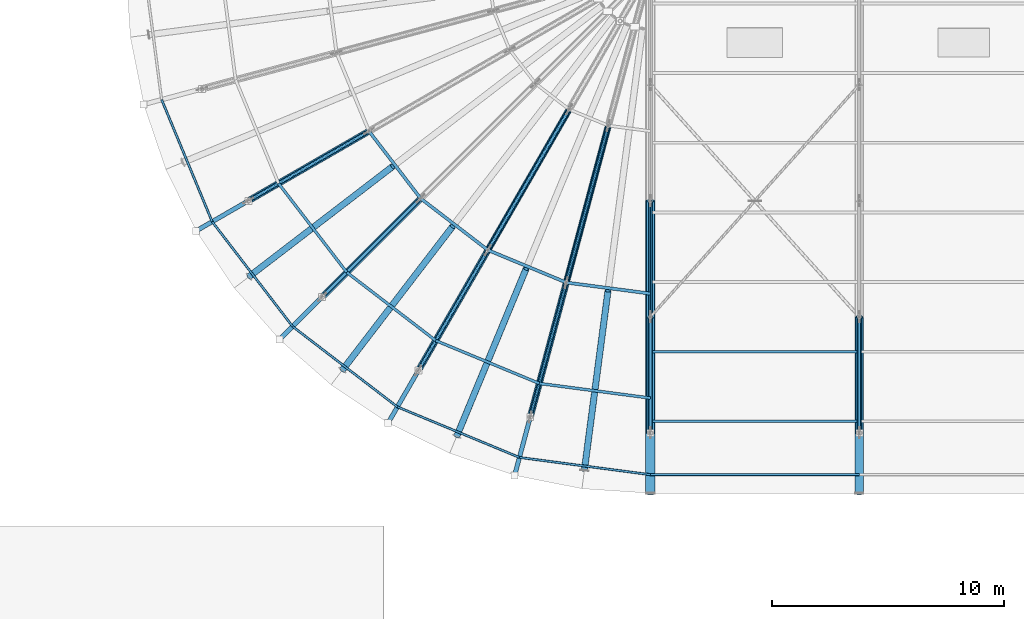
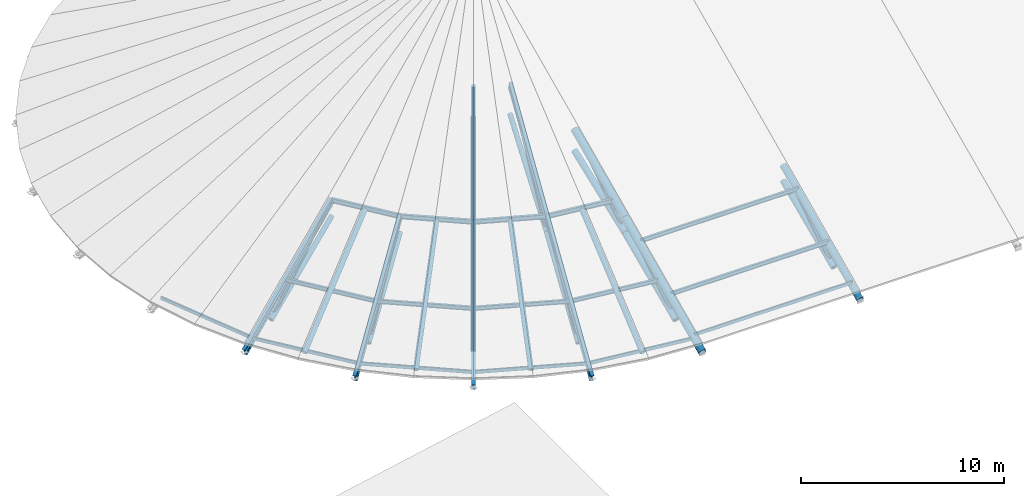
# One storey, part 1 of 107: 47 members.
"""IFC4 building model written with IfcOpenShell, lengths in metres."""

from ifc_helpers import new_model, si_unit, derived_unit, direction, frame, origin, origin_2d, place, context, subcontext, project, spatial, hollow_rectangle, hollow_circle, i_section, extrude, material, material_profile, profile_set, type_object, element, save


model = new_model("IFC4")

# Units and contexts
model_context = context("Model", 3, precision=1e-05, world=origin(), true_north=direction((0.0, 1.0)))
body_context = subcontext(model_context, "Body", "Model", "MODEL_VIEW")
ifc_project = project(units=[si_unit("LENGTHUNIT", "METRE"), si_unit("AREAUNIT", "SQUARE_METRE"), si_unit("VOLUMEUNIT", "CUBIC_METRE"), si_unit("PLANEANGLEUNIT", "RADIAN"), si_unit("MASSUNIT", "GRAM", prefix="KILO"), si_unit("THERMODYNAMICTEMPERATUREUNIT", "KELVIN"), si_unit("TIMEUNIT", "SECOND"), derived_unit("THERMALTRANSMITTANCEUNIT", [(si_unit("MASSUNIT", "GRAM", prefix="KILO"), 1), (si_unit("THERMODYNAMICTEMPERATUREUNIT", "KELVIN"), -1), (si_unit("TIMEUNIT", "SECOND"), -3)])], contexts=[model_context])

# Site, building, storey
site_placement = place(None, origin())
site = spatial("IfcSite", under=ifc_project, at=site_placement, CompositionType="ELEMENT")
building_placement = place(site_placement, origin())
building = spatial("IfcBuilding", under=site, at=building_placement, Name="Cambertide Market Hall", CompositionType="ELEMENT")
storey_placement = place(building_placement, frame((0.0, 0.0, 18.300048828125)))
storey = spatial("IfcBuildingStorey", under=building, at=storey_placement, Name="RF", CompositionType="ELEMENT", Elevation=18.300048828125)

# Members
ifc_material_1 = material(Name="Steel S355", Category="steel")
ifc_material_profile_1 = material_profile(ifc_material_1, hollow_circle(Radius=0.136474609375, WallThickness=0.010009765625, at=origin_2d()), Name="CHS 273x10")
ifc_profile_set_1 = profile_set([ifc_material_profile_1], Name="Steel S355")
member_type_1 = type_object("IfcMemberType", Name="Arched Truss Chord CHS 273x10", PredefinedType="CHORD", material=ifc_profile_set_1)
for number, where, z_axis, x_axis, name in (
    (1, (29.875732421875, 65.0, -7.756103515625), (-0.7934706706, -0.458098458952, -0.400687030991), (0.499990139034, -0.866031096941, 0.0), "Half-Cone Radial Arch Chord W-16-3"),
    (2, (32.1005859375, 62.1005859375, -7.756103515625), (-0.647860639623, -0.647860639623, -0.400690882419), (0.707106781187, -0.707106781187, 0.0), "Half-Cone Radial Arch Chord W-18-3"),
):
    element("IfcMember", number, at=place(storey_placement, frame(where, z_axis=z_axis, x_axis=x_axis)), inside=storey, type_object=member_type_1, Name=name, PredefinedType="CHORD", context=body_context, shape_type="SweptSolid", body=[
        extrude(hollow_circle(Radius=0.136474609375, WallThickness=0.010009765625, at=origin_2d()), origin(), (0.0, 0.0, 1.0), 6.548828125),
    ])
member_1_placement = place(storey_placement, frame((38.5, 65.937744140625, -5.381591796875), z_axis=(-0.473508125204, -0.820117658259, -0.321243026348), x_axis=(0.866019471182, -0.500010275428, 0.0)))
element("IfcMember", 3, at=member_1_placement, inside=storey, type_object=member_type_1, Name="Half-Cone Radial Arch Chord W-20-2", PredefinedType="CHORD", context=body_context, shape_type="SweptSolid", body=[
    extrude(hollow_circle(Radius=0.136474609375, WallThickness=0.010009765625, at=origin_2d()), origin(), (0.0, 0.0, 1.0), 7.3916015625),
])
member_2_placement = place(storey_placement, frame((35.0, 59.875732421875, -7.756103515625), z_axis=(-0.458098458952, -0.7934706706, -0.400687030991), x_axis=(0.866031096941, -0.499990139034, 0.0)))
element("IfcMember", 4, at=member_2_placement, inside=storey, type_object=member_type_1, Name="Half-Cone Radial Arch Chord W-20-3", PredefinedType="CHORD", context=body_context, shape_type="SweptSolid", body=[
    extrude(hollow_circle(Radius=0.136474609375, WallThickness=0.010009765625, at=origin_2d()), origin(), (0.0, 0.0, 1.0), 6.548828125),
])
member_3_placement = place(storey_placement, frame((40.188232421875, 65.238525390625, -5.381591796875), z_axis=(-0.245105868419, -0.914729420004, -0.321236986422), x_axis=(0.965924543531, -0.258823832372, 0.0)))
element("IfcMember", 5, at=member_3_placement, inside=storey, type_object=member_type_1, Name="Half-Cone Radial Arch Chord W-22-2", PredefinedType="CHORD", context=body_context, shape_type="SweptSolid", body=[
    extrude(hollow_circle(Radius=0.136474609375, WallThickness=0.010009765625, at=origin_2d()), origin(), (0.0, 0.0, 1.0), 7.391845703125),
])
member_4_placement = place(storey_placement, frame((38.37646484375, 58.47705078125, -7.756103515625), z_axis=(-0.23710402823, -0.885001969521, -0.400690895506), x_axis=(0.965934430412, -0.258786931944, 0.0)))
element("IfcMember", 6, at=member_4_placement, inside=storey, type_object=member_type_1, Name="Half-Cone Radial Arch Chord W-22-3", PredefinedType="CHORD", context=body_context, shape_type="SweptSolid", body=[
    extrude(hollow_circle(Radius=0.136474609375, WallThickness=0.010009765625, at=origin_2d()), origin(), (0.0, 0.0, 1.0), 6.548828125),
])
ifc_material_2 = material(Name="Steel S355", Category="steel")
ifc_material_profile_2 = material_profile(ifc_material_2, hollow_circle(Radius=0.161865234375, WallThickness=0.010009765625, at=origin_2d()), Name="CHS 323.9x10")
ifc_profile_set_2 = profile_set([ifc_material_profile_2], Name="Steel S355")
member_type_2 = type_object("IfcMemberType", Name="Arched Truss Chord CHS 323.9x10", PredefinedType="CHORD", material=ifc_profile_set_2)
member_5_placement = place(storey_placement, frame((51.0, 52.0, -10.380126953125), z_axis=(0.0, 0.915087583381, 0.403255148438), x_axis=(-1.0, 0.0, 0.0)))
element("IfcMember", 7, at=member_5_placement, inside=storey, type_object=member_type_2, Name="Roof Truss 2 Arched Bottom Chord 1", PredefinedType="CHORD", context=body_context, shape_type="SweptSolid", body=[
    extrude(hollow_circle(Radius=0.161865234375, WallThickness=0.010009765625, at=origin_2d()), origin(), (0.0, 0.0, 1.0), 5.4638671875),
])
ifc_material_3 = material(Name="Steel S355", Category="steel")
ifc_material_profile_3 = material_profile(ifc_material_3, hollow_circle(Radius=0.177734375, WallThickness=0.012451171875, at=origin_2d()), Name="CHS 355.6x12.5")
ifc_profile_set_3 = profile_set([ifc_material_profile_3], Name="Steel S355")
member_type_3 = type_object("IfcMemberType", Name="Arched Truss Chord CHS 355.6x12.5", PredefinedType="CHORD", material=ifc_profile_set_3)
member_6_placement = place(storey_placement, frame((42.0, 52.0, -10.380126953125), z_axis=(0.0, 0.915087583381, 0.403255148438), x_axis=(-1.0, 0.0, 0.0)))
element("IfcMember", 8, at=member_6_placement, inside=storey, type_object=member_type_3, Name="Roof Truss 1 Arched Bottom Chord 1", PredefinedType="CHORD", context=body_context, shape_type="SweptSolid", body=[
    extrude(hollow_circle(Radius=0.177734375, WallThickness=0.012451171875, at=origin_2d()), origin(), (0.0, 0.0, 1.0), 5.4638671875),
])
member_7_placement = place(storey_placement, frame((42.0, 57.0, -8.1767578125), z_axis=(0.0, 0.933191676524, 0.359379040661), x_axis=(-1.0, 0.0, 0.0)))
element("IfcMember", 9, at=member_7_placement, inside=storey, type_object=member_type_3, Name="Roof Truss 1 Arched Bottom Chord 2", PredefinedType="CHORD", context=body_context, shape_type="SweptSolid", body=[
    extrude(hollow_circle(Radius=0.177734375, WallThickness=0.012451171875, at=origin_2d()), origin(), (0.0, 0.0, 1.0), 5.35791015625),
])
ifc_material_4 = material(Name="Steel S355", Category="steel")
ifc_material_profile_4 = material_profile(ifc_material_4, hollow_circle(Radius=0.203125, WallThickness=0.01416015625, at=origin_2d()), Name="CHS 406.4x14.2")
ifc_profile_set_4 = profile_set([ifc_material_profile_4], Name="Steel S355")
member_type_4 = type_object("IfcMemberType", Name="Arched Truss Chord CHS 406.4x14.2", PredefinedType="CHORD", material=ifc_profile_set_4)
member_8_placement = place(storey_placement, frame((42.0, 57.0, -7.25), z_axis=(0.0, 0.908487084298, 0.417912930721), x_axis=(-1.0, 0.0, 0.0)))
element("IfcMember", 10, at=member_8_placement, inside=storey, type_object=member_type_4, Name="Roof Truss 1 Top Chord 2", PredefinedType="CHORD", context=body_context, shape_type="SweptSolid", body=[
    extrude(hollow_circle(Radius=0.203125, WallThickness=0.01416015625, at=origin_2d()), origin(), (0.0, 0.0, 1.0), 5.503662109375),
])
ifc_material_5 = material(Name="Steel S355", Category="steel")
ifc_material_profile_5 = material_profile(ifc_material_5, hollow_circle(Radius=0.177734375, WallThickness=0.012451171875, at=origin_2d()), Name="CHS 355.6x12.5")
ifc_profile_set_5 = profile_set([ifc_material_profile_5], Name="Steel S355")
member_type_5 = type_object("IfcMemberType", Name="Exterior Arched Truss Chord CHS 355.6x12.5", PredefinedType="CHORD", material=ifc_profile_set_5)
member_9_placement = place(storey_placement, frame((51.0, 49.39990234375, -10.74609375), z_axis=(0.0, 0.908488236671, 0.417910425606), x_axis=(-1.0, 0.0, 0.0)))
element("IfcMember", 11, at=member_9_placement, inside=storey, type_object=member_type_5, Name="Roof Truss 2 Top Chord 1", PredefinedType="CHORD", context=body_context, shape_type="SweptSolid", body=[
    extrude(hollow_circle(Radius=0.177734375, WallThickness=0.012451171875, at=origin_2d()), origin(), (0.0, 0.0, 1.0), 8.36572265625),
])
ifc_material_6 = material(Name="Steel S355", Category="steel")
ifc_material_profile_6 = material_profile(ifc_material_6, hollow_circle(Radius=0.203125, WallThickness=0.01416015625, at=origin_2d()), Name="CHS 406.4x14.2")
ifc_profile_set_6 = profile_set([ifc_material_profile_6], Name="Steel S355")
member_type_6 = type_object("IfcMemberType", Name="Exterior Arched Truss Chord CHS 406.4x14.2", PredefinedType="CHORD", material=ifc_profile_set_6)
member_10_placement = place(storey_placement, frame((42.0, 49.39990234375, -10.74609375), z_axis=(0.0, 0.908488236671, 0.417910425606), x_axis=(-1.0, 0.0, 0.0)))
element("IfcMember", 12, at=member_10_placement, inside=storey, type_object=member_type_6, Name="Roof Truss 1 Top Chord 1", PredefinedType="CHORD", context=body_context, shape_type="SweptSolid", body=[
    extrude(hollow_circle(Radius=0.203125, WallThickness=0.01416015625, at=origin_2d()), origin(), (0.0, 0.0, 1.0), 8.36572265625),
])
ifc_material_7 = material(Name="Steel S355", Category="steel")
ifc_material_profile_7 = material_profile(ifc_material_7, hollow_circle(Radius=0.136474609375, WallThickness=0.010009765625, at=origin_2d()), Name="CHS 273x10")
ifc_profile_set_7 = profile_set([ifc_material_profile_7], Name="Steel S355")
member_type_7 = type_object("IfcMemberType", Name="Exterior Radial Fan Rafter CHS 273x10", PredefinedType="RAFTER", material=ifc_profile_set_7)
for number, where, z_axis, x_axis, name in (
    (13, (30.89306640625, 63.477294921875, -6.7900390625), (-0.720764281004, -0.553049453634, -0.417893710247), (0.608752816622, -0.793359948734, 0.0), "RAF-W-17-B"),
    (14, (33.477294921875, 60.89306640625, -6.7900390625), (-0.553049453634, -0.720764281004, -0.417893710247), (0.793359948734, -0.608752816622, 0.0), "RAF-W-19-B"),
    (15, (36.642333984375, 59.065673828125, -6.7900390625), (-0.347657877112, -0.839343821258, -0.417894663997), (0.923883314027, -0.382674302852, 0.0), "RAF-W-21-B"),
    (16, (40.172607421875, 58.119873046875, -6.7900390625), (-0.118576480501, -0.900726282096, -0.417889678043), (0.991445770734, -0.130519284757, 0.0), "RAF-W-23-B"),
):
    element("IfcMember", number, at=place(storey_placement, frame(where, z_axis=z_axis, x_axis=x_axis)), inside=storey, type_object=member_type_7, Name=name, PredefinedType="RAFTER", context=body_context, shape_type="SweptSolid", body=[
        extrude(hollow_circle(Radius=0.136474609375, WallThickness=0.010009765625, at=origin_2d()), origin(), (0.0, 0.0, 1.0), 8.585693359375),
    ])
ifc_material_8 = material(Name="Steel S355", Category="steel")
ifc_material_profile_8 = material_profile(ifc_material_8, i_section(OverallWidth=0.18994140625, OverallDepth=0.449951171875, WebThickness=0.009521484375, FlangeThickness=0.0146484375, FilletRadius=0.02099609375, at=origin_2d()), Name="IPE 450")
ifc_profile_set_8 = profile_set([ifc_material_profile_8], Name="Steel S355")
member_type_8 = type_object("IfcMemberType", Name="Exterior Radial Fan Rafter IPE 450", PredefinedType="RAFTER", material=ifc_profile_set_8)
for number, where, z_axis, x_axis, name in (
    (17, (29.875732421875, 65.0, -6.7900390625), (-0.78677929532, -0.454241443881, -0.417903159975), (0.499995216735, -0.866028165386, 0.0), "Half-Cone Radial Truss Rafter W-16-3"),
    (18, (32.1005859375, 62.1005859375, -6.7900390625), (-0.642401539007, -0.642401539007, -0.417900138025), (0.707106781187, -0.707106781187, 0.0), "Half-Cone Radial Truss Rafter W-18-3"),
    (19, (35.0, 59.875732421875, -6.7900390625), (-0.454241443881, -0.78677929532, -0.417903159975), (0.866028165386, -0.499995216735, 0.0), "Half-Cone Radial Truss Rafter W-20-3"),
):
    element("IfcMember", number, at=place(storey_placement, frame(where, z_axis=z_axis, x_axis=x_axis)), inside=storey, type_object=member_type_8, Name=name, PredefinedType="RAFTER", context=body_context, shape_type="SweptSolid", body=[
        extrude(i_section(OverallWidth=0.18994140625, OverallDepth=0.449951171875, WebThickness=0.009521484375, FlangeThickness=0.0146484375, FilletRadius=0.02099609375, at=origin_2d()), origin(), (0.0, 0.0, 1.0), 9.466552734375),
    ])
member_11_placement = place(storey_placement, frame((38.37646484375, 58.47705078125, -6.7900390625), z_axis=(-0.235134381364, -0.877530692762, -0.417913514931), x_axis=(0.965925622404, -0.258819806009, 0.0)))
element("IfcMember", 20, at=member_11_placement, inside=storey, type_object=member_type_8, Name="Half-Cone Radial Truss Rafter W-22-3", PredefinedType="RAFTER", context=body_context, shape_type="SweptSolid", body=[
    extrude(i_section(OverallWidth=0.18994140625, OverallDepth=0.449951171875, WebThickness=0.009521484375, FlangeThickness=0.0146484375, FilletRadius=0.02099609375, at=origin_2d()), origin(), (0.0, 0.0, 1.0), 9.46630859375),
])
ifc_material_9 = material(Name="Steel S275", Category="steel")
ifc_material_profile_9 = material_profile(ifc_material_9, hollow_rectangle(XDim=0.10009765625, YDim=0.199951171875, WallThickness=0.00634765625, InnerFilletRadius=0.00634765625, OuterFilletRadius=0.0126953125, at=origin_2d()), Name="RHS 200x100x6.3")
ifc_profile_set_9 = profile_set([ifc_material_profile_9], Name="Steel S275")
member_type_9 = type_object("IfcMemberType", Name="Exterior Roof Purlin RHS 200x100x6.3", PredefinedType="PURLIN", material=ifc_profile_set_9)
member_12_placement = place(storey_placement, frame((42.0, 50.199951171875, -10.16796875), z_axis=(1.0, 0.0, 0.0), x_axis=(0.0, 1.0, 0.0)))
element("IfcMember", 21, at=member_12_placement, inside=storey, type_object=member_type_9, Name="Barrel Roof Purlin 1-01", PredefinedType="PURLIN", context=body_context, shape_type="SweptSolid", body=[
    extrude(hollow_rectangle(XDim=0.10009765625, YDim=0.199951171875, WallThickness=0.00634765625, InnerFilletRadius=0.00634765625, OuterFilletRadius=0.0126953125, at=origin_2d()), origin(), (0.0, 0.0, 1.0), 9.0),
])
member_13_placement = place(storey_placement, frame((20.94287109375, 66.357666015625, -10.3779296875), z_axis=(0.382680170901, -0.923880883447, 0.0), x_axis=(0.923880883447, 0.382680170901, 0.0)))
element("IfcMember", 22, at=member_13_placement, inside=storey, type_object=member_type_9, Name="CPUR-W-218-08", PredefinedType="PURLIN", context=body_context, shape_type="SweptSolid", body=[
    extrude(hollow_rectangle(XDim=0.10009765625, YDim=0.199951171875, WallThickness=0.00634765625, InnerFilletRadius=0.00634765625, OuterFilletRadius=0.0126953125, at=origin_2d()), origin(), (0.0, 0.0, 1.0), 5.690673828125),
])
for number, where, z_axis, x_axis, name in (
    (23, (23.12060546875, 61.10009765625, -10.3779296875), (0.608735904226, -0.793372925494, 0.0), (0.793372925494, 0.608735904226, 0.0), "CPUR-W-218-09"),
    (24, (26.5849609375, 56.5849609375, -10.3779296875), (0.793372925494, -0.608735904226, 0.0), (0.608735904226, 0.793372925494, 0.0), "CPUR-W-218-10"),
):
    element("IfcMember", number, at=place(storey_placement, frame(where, z_axis=z_axis, x_axis=x_axis)), inside=storey, type_object=member_type_9, Name=name, PredefinedType="PURLIN", context=body_context, shape_type="SweptSolid", body=[
        extrude(hollow_rectangle(XDim=0.10009765625, YDim=0.199951171875, WallThickness=0.00634765625, InnerFilletRadius=0.00634765625, OuterFilletRadius=0.0126953125, at=origin_2d()), origin(), (0.0, 0.0, 1.0), 5.691162109375),
    ])
member_14_placement = place(storey_placement, frame((31.10009765625, 53.12060546875, -10.3779296875), z_axis=(0.923880883447, -0.382680170901, 0.0), x_axis=(0.382680170901, 0.923880883447, 0.0)))
element("IfcMember", 25, at=member_14_placement, inside=storey, type_object=member_type_9, Name="CPUR-W-218-11", PredefinedType="PURLIN", context=body_context, shape_type="SweptSolid", body=[
    extrude(hollow_rectangle(XDim=0.10009765625, YDim=0.199951171875, WallThickness=0.00634765625, InnerFilletRadius=0.00634765625, OuterFilletRadius=0.0126953125, at=origin_2d()), origin(), (0.0, 0.0, 1.0), 5.690673828125),
])
member_15_placement = place(storey_placement, frame((36.357666015625, 50.94287109375, -10.3779296875), z_axis=(0.991442756491, -0.130542179395, 0.0), x_axis=(0.130542179395, 0.991442756491, 0.0)))
element("IfcMember", 26, at=member_15_placement, inside=storey, type_object=member_type_9, Name="CPUR-W-218-12", PredefinedType="PURLIN", context=body_context, shape_type="SweptSolid", body=[
    extrude(hollow_rectangle(XDim=0.10009765625, YDim=0.199951171875, WallThickness=0.00634765625, InnerFilletRadius=0.00634765625, OuterFilletRadius=0.0126953125, at=origin_2d()), origin(), (0.0, 0.0, 1.0), 5.69091796875),
])
ifc_material_10 = material(Name="Steel S355", Category="steel")
ifc_material_profile_10 = material_profile(ifc_material_10, i_section(OverallWidth=0.18994140625, OverallDepth=0.449951171875, WebThickness=0.009521484375, FlangeThickness=0.0146484375, FilletRadius=0.02099609375, at=origin_2d()), Name="IPE 450")
ifc_profile_set_10 = profile_set([ifc_material_profile_10], Name="Steel S355")
member_type_10 = type_object("IfcMemberType", Name="Radial Fan Rafter IPE 450", PredefinedType="RAFTER", material=ifc_profile_set_10)
member_16_placement = place(storey_placement, frame((38.5, 65.937744140625, -3.570068359375), z_axis=(-0.454253652919, -0.786768847794, -0.417909558339), x_axis=(0.866019471182, -0.500010275428, 0.0)))
element("IfcMember", 27, at=member_16_placement, inside=storey, type_object=member_type_10, Name="Half-Cone Radial Truss Rafter W-20-2", PredefinedType="RAFTER", context=body_context, shape_type="SweptSolid", body=[
    extrude(i_section(OverallWidth=0.18994140625, OverallDepth=0.449951171875, WebThickness=0.009521484375, FlangeThickness=0.0146484375, FilletRadius=0.02099609375, at=origin_2d()), origin(), (0.0, 0.0, 1.0), 7.704833984375),
])
member_17_placement = place(storey_placement, frame((40.188232421875, 65.238525390625, -3.570068359375), z_axis=(-0.235139371303, -0.877534683767, -0.417902326925), x_axis=(0.965924543531, -0.258823832372, 0.0)))
element("IfcMember", 28, at=member_17_placement, inside=storey, type_object=member_type_10, Name="Half-Cone Radial Truss Rafter W-22-2", PredefinedType="RAFTER", context=body_context, shape_type="SweptSolid", body=[
    extrude(i_section(OverallWidth=0.18994140625, OverallDepth=0.449951171875, WebThickness=0.009521484375, FlangeThickness=0.0146484375, FilletRadius=0.02099609375, at=origin_2d()), origin(), (0.0, 0.0, 1.0), 7.705078125),
])
ifc_material_11 = material(Name="Steel S275", Category="steel")
ifc_material_profile_11 = material_profile(ifc_material_11, i_section(OverallWidth=0.1201171875, OverallDepth=0.239990234375, WebThickness=0.006103515625, FlangeThickness=0.009765625, FilletRadius=0.014892578125, at=origin_2d()), Name="IPE 240")
ifc_profile_set_11 = profile_set([ifc_material_profile_11], Name="Steel S275")
member_type_11 = type_object("IfcMemberType", Name="Roof Purlin IPE 240", PredefinedType="PURLIN", material=ifc_profile_set_11)
for number, where, z_axis, x_axis, name in (
    (29, (42.0, 52.5, -9.110107421875), (1.0, 0.0, 0.0), (0.0, 1.0, 0.0), "Barrel Roof Purlin 1-02"),
    (30, (42.0, 55.5, -7.72998046875), (1.0, 0.0, 0.0), (0.0, 1.0, 0.0), "Barrel Roof Purlin 1-03"),
):
    element("IfcMember", number, at=place(storey_placement, frame(where, z_axis=z_axis, x_axis=x_axis)), inside=storey, type_object=member_type_11, Name=name, PredefinedType="PURLIN", context=body_context, shape_type="SweptSolid", body=[
        extrude(i_section(OverallWidth=0.1201171875, OverallDepth=0.239990234375, WebThickness=0.006103515625, FlangeThickness=0.009765625, FilletRadius=0.014892578125, at=origin_2d()), origin(), (0.0, 0.0, 1.0), 9.0),
    ])
for number, where, z_axis, x_axis, name in (
    (31, (25.978515625, 62.75, -8.860107421875), (0.60874775518, -0.793363832402, 0.0), (0.793363832402, 0.60874775518, 0.0), "CPUR-W-185-09"),
    (32, (28.91845703125, 58.91845703125, -8.860107421875), (0.793363832402, -0.60874775518, 0.0), (0.60874775518, 0.793363832402, 0.0), "CPUR-W-185-10"),
    (33, (32.75, 55.978515625, -8.860107421875), (0.923882518405, -0.382676223699, 0.0), (0.382676223699, 0.923882518405, 0.0), "CPUR-W-185-11"),
):
    element("IfcMember", number, at=place(storey_placement, frame(where, z_axis=z_axis, x_axis=x_axis)), inside=storey, type_object=member_type_11, Name=name, PredefinedType="PURLIN", context=body_context, shape_type="SweptSolid", body=[
        extrude(i_section(OverallWidth=0.1201171875, OverallDepth=0.239990234375, WebThickness=0.006103515625, FlangeThickness=0.009765625, FilletRadius=0.014892578125, at=origin_2d()), origin(), (0.0, 0.0, 1.0), 4.82958984375),
    ])
member_18_placement = place(storey_placement, frame((37.2119140625, 54.13037109375, -8.860107421875), z_axis=(0.991444657148, -0.130527743461, 0.0), x_axis=(0.130527743461, 0.991444657148, 0.0)))
element("IfcMember", 34, at=member_18_placement, inside=storey, type_object=member_type_11, Name="CPUR-W-185-12", PredefinedType="PURLIN", context=body_context, shape_type="SweptSolid", body=[
    extrude(i_section(OverallWidth=0.1201171875, OverallDepth=0.239990234375, WebThickness=0.006103515625, FlangeThickness=0.009765625, FilletRadius=0.014892578125, at=origin_2d()), origin(), (0.0, 0.0, 1.0), 4.829345703125),
])
ifc_material_12 = material(Name="Steel S275", Category="steel")
ifc_material_profile_12 = material_profile(ifc_material_12, i_section(OverallWidth=0.135009765625, OverallDepth=0.27001953125, WebThickness=0.006591796875, FlangeThickness=0.01025390625, FilletRadius=0.014892578125, at=origin_2d()), Name="IPE 270")
ifc_profile_set_12 = profile_set([ifc_material_profile_12], Name="Steel S275")
member_type_12 = type_object("IfcMemberType", Name="Roof Purlin IPE 270", PredefinedType="PURLIN", material=ifc_profile_set_12)
for number, where, z_axis, x_axis, name in (
    (35, (29.875732421875, 65.0, -6.7900390625), (0.608770876338, -0.793346091011, 0.0), (0.793346091011, 0.608770876338, 0.0), "CPUR-W-140-09"),
    (36, (32.1005859375, 62.1005859375, -6.7900390625), (0.793346091011, -0.608770876338, 0.0), (0.608770876338, 0.793346091011, 0.0), "CPUR-W-140-10"),
    (37, (35.0, 59.875732421875, -6.7900390625), (0.923869460704, -0.382707746954, 0.0), (0.382707746954, 0.923869460704, 0.0), "CPUR-W-140-11"),
    (38, (38.37646484375, 58.47705078125, -6.7900390625), (0.991444743541, -0.130527087244, 0.0), (0.130527087244, 0.991444743541, 0.0), "CPUR-W-140-12"),
):
    element("IfcMember", number, at=place(storey_placement, frame(where, z_axis=z_axis, x_axis=x_axis)), inside=storey, type_object=member_type_12, Name=name, PredefinedType="PURLIN", context=body_context, shape_type="SweptSolid", body=[
        extrude(i_section(OverallWidth=0.135009765625, OverallDepth=0.27001953125, WebThickness=0.006591796875, FlangeThickness=0.01025390625, FilletRadius=0.014892578125, at=origin_2d()), origin(), (0.0, 0.0, 1.0), 3.65478515625),
    ])
ifc_material_13 = material(Name="Steel S355", Category="steel")
ifc_material_profile_13 = material_profile(ifc_material_13, hollow_circle(Radius=0.084228515625, WallThickness=0.00634765625, at=origin_2d()), Name="CHS 168.3x6.3")
ifc_profile_set_13 = profile_set([ifc_material_profile_13], Name="Steel S355")
member_type_13 = type_object("IfcMemberType", Name="Structural Brace CHS 168.3x6.3", PredefinedType="BRACE", material=ifc_profile_set_13)
member_19_placement = place(storey_placement, frame((42.0, 57.0, -8.1767578125), z_axis=(0.0, 0.840220073362, 0.542245542462), x_axis=(-1.0, 0.0, 0.0)))
element("IfcMember", 39, at=member_19_placement, inside=storey, type_object=member_type_13, Name="Roof Truss 1 Web Diagonal 2", PredefinedType="BRACE", context=body_context, shape_type="SweptSolid", body=[
    extrude(hollow_circle(Radius=0.084228515625, WallThickness=0.00634765625, at=origin_2d()), origin(), (0.0, 0.0, 1.0), 5.950927734375),
])
for number, where, z_axis, x_axis, name in (
    (40, (24.679443359375, 62.0, -10.380126953125), (0.743160490346, 0.429052626638, 0.513445546445), (-0.499990139034, 0.866031096941, 0.0), "RWB-W-16-D3"),
    (41, (27.85791015625, 57.85791015625, -10.380126953125), (0.60678217885, 0.60678217885, 0.513449875704), (-0.707106781187, 0.707106781187, 0.0), "RWB-W-18-D3"),
):
    element("IfcMember", number, at=place(storey_placement, frame(where, z_axis=z_axis, x_axis=x_axis)), inside=storey, type_object=member_type_13, Name=name, PredefinedType="BRACE", context=body_context, shape_type="SweptSolid", body=[
        extrude(hollow_circle(Radius=0.084228515625, WallThickness=0.00634765625, at=origin_2d()), origin(), (0.0, 0.0, 1.0), 6.9921875),
    ])
member_20_placement = place(storey_placement, frame((35.0, 59.875732421875, -7.756103515625), z_axis=(0.429130184304, 0.743254916034, 0.513244010887), x_axis=(-0.866019471182, 0.500010275428, 0.0)))
element("IfcMember", 42, at=member_20_placement, inside=storey, type_object=member_type_13, Name="RWB-W-20-D2", PredefinedType="BRACE", context=body_context, shape_type="SweptSolid", body=[
    extrude(hollow_circle(Radius=0.084228515625, WallThickness=0.00634765625, at=origin_2d()), origin(), (0.0, 0.0, 1.0), 8.156005859375),
])
member_21_placement = place(storey_placement, frame((32.0, 54.679443359375, -10.380126953125), z_axis=(0.429052626638, 0.743160490346, 0.513445546445), x_axis=(-0.866031096941, 0.499990139034, 0.0)))
element("IfcMember", 43, at=member_21_placement, inside=storey, type_object=member_type_13, Name="RWB-W-20-D3", PredefinedType="BRACE", context=body_context, shape_type="SweptSolid", body=[
    extrude(hollow_circle(Radius=0.084228515625, WallThickness=0.00634765625, at=origin_2d()), origin(), (0.0, 0.0, 1.0), 6.9921875),
])
member_22_placement = place(storey_placement, frame((38.37646484375, 58.47705078125, -7.756103515625), z_axis=(0.222134899502, 0.829002296418, 0.513236085011), x_axis=(-0.965924543531, 0.258823832372, 0.0)))
element("IfcMember", 44, at=member_22_placement, inside=storey, type_object=member_type_13, Name="RWB-W-22-D2", PredefinedType="BRACE", context=body_context, shape_type="SweptSolid", body=[
    extrude(hollow_circle(Radius=0.084228515625, WallThickness=0.00634765625, at=origin_2d()), origin(), (0.0, 0.0, 1.0), 8.15625),
])
member_23_placement = place(storey_placement, frame((36.82373046875, 52.681396484375, -10.380126953125), z_axis=(0.222070132815, 0.828887245737, 0.513449890415), x_axis=(-0.965934430412, 0.258786931944, 0.0)))
element("IfcMember", 45, at=member_23_placement, inside=storey, type_object=member_type_13, Name="RWB-W-22-D3", PredefinedType="BRACE", context=body_context, shape_type="SweptSolid", body=[
    extrude(hollow_circle(Radius=0.084228515625, WallThickness=0.00634765625, at=origin_2d()), origin(), (0.0, 0.0, 1.0), 6.9921875),
])
ifc_material_14 = material(Name="Steel S355", Category="steel")
ifc_material_profile_14 = material_profile(ifc_material_14, hollow_circle(Radius=0.096923828125, WallThickness=0.00634765625, at=origin_2d()), Name="CHS 193.7x6.3")
ifc_profile_set_14 = profile_set([ifc_material_profile_14], Name="Steel S355")
member_type_14 = type_object("IfcMemberType", Name="Structural Brace CHS 193.7x6.3", PredefinedType="BRACE", material=ifc_profile_set_14)
for number, where, z_axis, x_axis, name in (
    (46, (42.0, 52.0, -10.380126953125), (0.0, 0.847607454032, 0.530623787507), (-1.0, 0.0, 0.0), "Roof Truss 1 Web Diagonal 1"),
    (47, (51.0, 52.0, -10.380126953125), (0.0, 0.847607454032, 0.530623787507), (-1.0, 0.0, 0.0), "Roof Truss 2 Web Diagonal 1"),
):
    element("IfcMember", number, at=place(storey_placement, frame(where, z_axis=z_axis, x_axis=x_axis)), inside=storey, type_object=member_type_14, Name=name, PredefinedType="BRACE", context=body_context, shape_type="SweptSolid", body=[
        extrude(hollow_circle(Radius=0.096923828125, WallThickness=0.00634765625, at=origin_2d()), origin(), (0.0, 0.0, 1.0), 5.89892578125),
    ])

save(model, "model.ifc")
